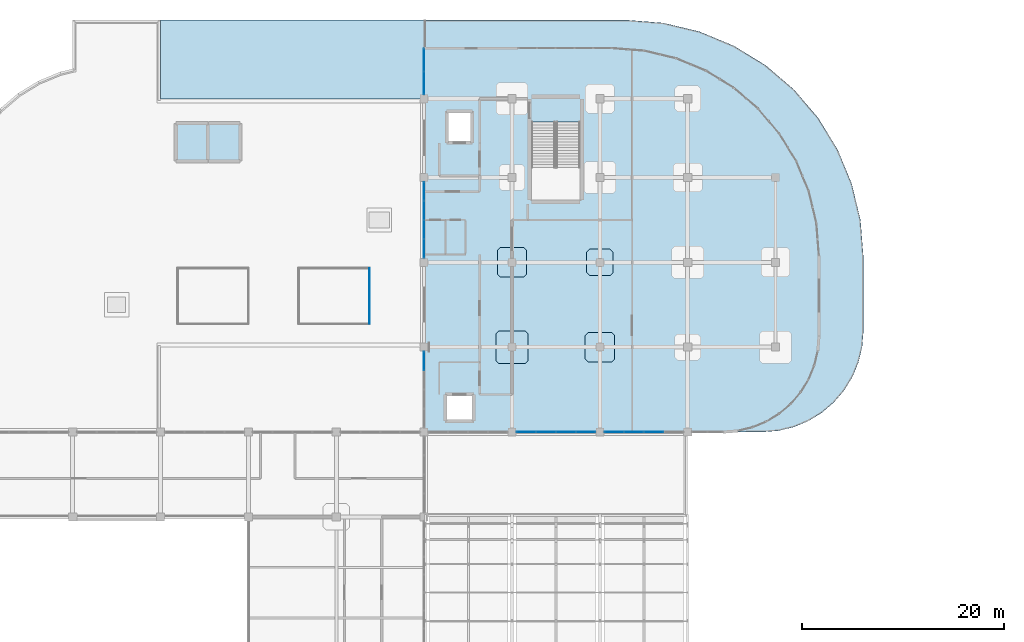
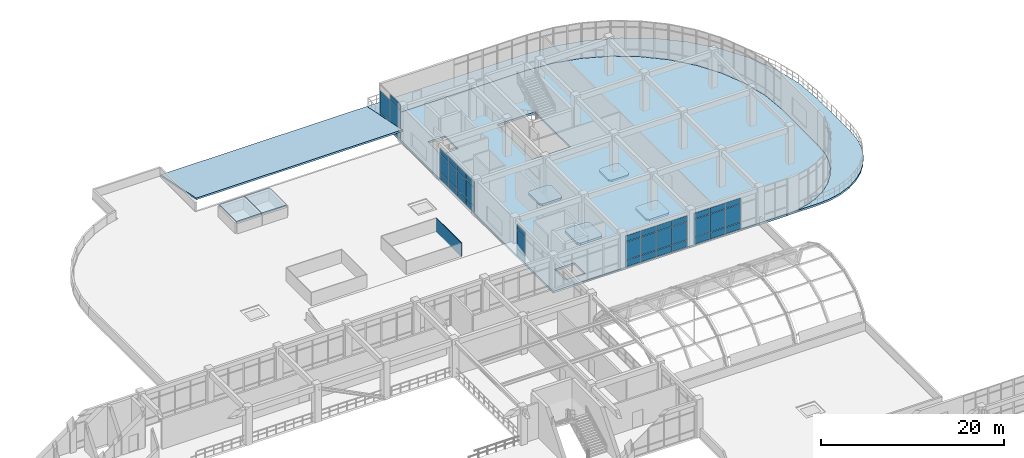
# One storey, part 99 of 124: 42 plates, 9 slabs, 5 elements without a shape of their own.
"""IFC4 building model written with IfcOpenShell, lengths in metres."""

from ifc_helpers import new_model, si_unit, derived_unit, direction, frame, origin, origin_2d, place, context, subcontext, project, spatial, polyline, rectangle, outline, extrude, material, layer, layer_set, type_object, element, aggregate, save


model = new_model("IFC4")

# Units and contexts
model_context = context("Model", 3, precision=1e-05, world=origin(), true_north=direction((0.0, 1.0)))
body_context = subcontext(model_context, "Body", "Model", "MODEL_VIEW")
ifc_project = project(units=[si_unit("LENGTHUNIT", "METRE"), si_unit("AREAUNIT", "SQUARE_METRE"), si_unit("VOLUMEUNIT", "CUBIC_METRE"), si_unit("PLANEANGLEUNIT", "RADIAN"), si_unit("MASSUNIT", "GRAM", prefix="KILO"), derived_unit("THERMALTRANSMITTANCEUNIT", [(si_unit("MASSUNIT", "GRAM", prefix="KILO"), 1), (si_unit("TIMEUNIT", "SECOND"), -3), (si_unit("THERMODYNAMICTEMPERATUREUNIT", "KELVIN"), -1)])], contexts=[model_context])

# Site, building, storey
site_placement = place(None, origin())
site = spatial("IfcSite", under=ifc_project, at=site_placement, CompositionType="ELEMENT")
building_placement = place(site_placement, origin())
building = spatial("IfcBuilding", under=site, at=building_placement, Name="Qinzheling Arcade Emporium", CompositionType="ELEMENT")
storey_placement = place(building_placement, frame((0.0, 0.0, 16.5)))
storey = spatial("IfcBuildingStorey", under=building, at=storey_placement, Name="L04", CompositionType="ELEMENT", Elevation=16.5)

# Plate
ifc_material_1 = material(Name="Mineral-wool-lined perforated aluminium acoustic panel", Category="aluminium")
ifc_layer_1 = layer(ifc_material_1, 0.06494140625, Name="Mineral-wool-lined perforated aluminium acoustic panel", Category="aluminium")
ifc_layer_set_1 = layer_set([ifc_layer_1], Name="Mineral-wool-lined perforated aluminium acoustic panel")
plate_type_1 = type_object("IfcPlateType", Name="Acoustic Roof Plant Screen Panel 65mm", PredefinedType="USERDEFINED", material=ifc_layer_set_1)
plate_1_placement = place(storey_placement, frame((99.0, 87.25, 0.0), z_axis=(0.0, 0.0, 1.0), x_axis=(0.0, 1.0, 0.0)))
element("IfcPlate", 1, at=plate_1_placement, inside=storey, type_object=plate_type_1, Name="Acoustic Plant Screen PLT-APS-L04-08", ObjectType="PLANT_SCREEN", PredefinedType="USERDEFINED", context=body_context, shape_type="SweptSolid", body=[
    extrude(rectangle(XDim=5.5, YDim=0.06494140625, at=origin_2d()), origin(), (0.0, 0.0, 1.0), 1.89990234375),
])

# Slabs
ifc_material_2 = material(Name="Concrete C40", Category="concrete")
ifc_layer_2 = layer(ifc_material_2, 0.264892578125, Name="Concrete C40", Category="concrete")
ifc_layer_set_2 = layer_set([ifc_layer_2], Name="Concrete C40")
slab_type_1 = type_object("IfcSlabType", Name="Buying Office Flat Slab 265 C40", PredefinedType="FLOOR", material=ifc_layer_set_2)
slab_1_placement = place(storey_placement, frame((0.0, 0.0, -0.264892578125)))
element("IfcSlab", 2, at=slab_1_placement, inside=storey, type_object=slab_type_1, Name="Floor Slab SLB-L04-V6", PredefinedType="FLOOR", context=body_context, shape_type="SweptSolid", body=[
    extrude(outline(polyline([(104.39990234375, 111.800048828125), (104.39990234375, 73.800048828125), (134.0, 73.800048828125), (135.486083984375, 73.9169921875), (136.93603515625, 74.264892578125), (138.31298828125, 74.8349609375), (139.583984375, 75.614013671875), (140.718017578125, 76.58203125), (141.68603515625, 77.716064453125), (142.465087890625, 78.987060546875), (143.034912109375, 80.364013671875), (143.383056640625, 81.81396484375), (143.5, 83.300048828125), (143.5, 91.300048828125), (143.248046875, 94.507080078125), (142.4970703125, 97.635009765625), (141.26611328125, 100.60693359375), (139.5849609375, 103.35009765625), (137.49609375, 105.7958984375), (135.050048828125, 107.885009765625), (132.306884765625, 109.56591796875), (129.3349609375, 110.797119140625), (126.20703125, 111.548095703125), (123.0, 111.800048828125), (104.39990234375, 111.800048828125)]), holes=[polyline([(119.844970703125, 96.800048828125), (115.054931640625, 96.800048828125), (115.054931640625, 104.47509765625), (119.844970703125, 104.47509765625), (119.844970703125, 96.800048828125)]), polyline([(109.14990234375, 75.050048828125), (106.64990234375, 75.050048828125), (106.64990234375, 77.35009765625), (109.14990234375, 77.35009765625), (109.14990234375, 75.050048828125)]), polyline([(109.0, 102.60009765625), (106.800048828125, 102.60009765625), (106.800048828125, 105.39990234375), (109.0, 105.39990234375), (109.0, 102.60009765625)])]), origin(), (0.0, 0.0, 1.0), 0.264892578125),
])
ifc_layer_3 = layer(ifc_material_2, 0.235107421875, Name="Concrete C40", Category="concrete")
ifc_layer_set_3 = layer_set([ifc_layer_3], Name="Concrete C40")
slab_type_2 = type_object("IfcSlabType", Name="Column Head Drop Panel 2600x2600x235 C40", PredefinedType="USERDEFINED", material=ifc_layer_set_3)
slab_2_placement = place(storey_placement, frame((0.0, 0.0, -0.5)))
element("IfcSlab", 3, at=slab_2_placement, inside=storey, type_object=slab_type_2, Name="Column Drop Panel DP-L04-15-L", ObjectType="DROP_PANEL", PredefinedType="USERDEFINED", context=body_context, shape_type="SweptSolid", body=[
    extrude(outline(polyline([(120.780029296875, 89.300048828125), (122.820068359375, 89.300048828125), (123.10009765625, 89.580078125), (123.10009765625, 91.6201171875), (122.820068359375, 91.89990234375), (120.780029296875, 91.89990234375), (120.5, 91.6201171875), (120.5, 89.580078125), (120.780029296875, 89.300048828125)])), origin(), (0.0, 0.0, 1.0), 0.235107421875),
])
ifc_layer_4 = layer(ifc_material_2, 0.27001953125, Name="Concrete C40", Category="concrete")
ifc_layer_set_4 = layer_set([ifc_layer_4], Name="Concrete C40")
slab_type_3 = type_object("IfcSlabType", Name="Column Head Drop Panel 2900x2900x270 C40", PredefinedType="USERDEFINED", material=ifc_layer_set_4)
slab_3_placement = place(storey_placement, frame((0.0, 0.0, -0.534912109375)))
element("IfcSlab", 4, at=slab_3_placement, inside=storey, type_object=slab_type_3, Name="Column Drop Panel DP-L04-14-L", ObjectType="DROP_PANEL", PredefinedType="USERDEFINED", context=body_context, shape_type="SweptSolid", body=[
    extrude(outline(polyline([(111.929931640625, 89.14990234375), (114.27001953125, 89.14990234375), (114.550048828125, 89.429931640625), (114.550048828125, 91.77001953125), (114.27001953125, 92.050048828125), (111.929931640625, 92.050048828125), (111.64990234375, 91.77001953125), (111.64990234375, 89.429931640625), (111.929931640625, 89.14990234375)])), origin(), (0.0, 0.0, 1.0), 0.27001953125),
])
slab_4_placement = place(storey_placement, frame((0.0, 0.0, -0.534912109375)))
element("IfcSlab", 5, at=slab_4_placement, inside=storey, type_object=slab_type_3, Name="Column Drop Panel DP-L04-15-K", ObjectType="DROP_PANEL", PredefinedType="USERDEFINED", context=body_context, shape_type="SweptSolid", body=[
    extrude(outline(polyline([(120.6298828125, 80.75), (122.969970703125, 80.75), (123.25, 81.030029296875), (123.25, 83.3701171875), (122.969970703125, 83.64990234375), (120.6298828125, 83.64990234375), (120.35009765625, 83.3701171875), (120.35009765625, 81.030029296875), (120.6298828125, 80.75)])), origin(), (0.0, 0.0, 1.0), 0.27001953125),
])
ifc_layer_5 = layer(ifc_material_2, 0.300048828125, Name="Concrete C40", Category="concrete")
ifc_layer_set_5 = layer_set([ifc_layer_5], Name="Concrete C40")
slab_type_4 = type_object("IfcSlabType", Name="Column Head Drop Panel 3200x3200x300 C40", PredefinedType="USERDEFINED", material=ifc_layer_set_5)
slab_5_placement = place(storey_placement, frame((0.0, 0.0, -0.56494140625)))
element("IfcSlab", 6, at=slab_5_placement, inside=storey, type_object=slab_type_4, Name="Column Drop Panel DP-L04-14-K", ObjectType="DROP_PANEL", PredefinedType="USERDEFINED", context=body_context, shape_type="SweptSolid", body=[
    extrude(outline(polyline([(111.780029296875, 80.60009765625), (114.419921875, 80.60009765625), (114.699951171875, 80.8798828125), (114.699951171875, 83.52001953125), (114.419921875, 83.800048828125), (111.780029296875, 83.800048828125), (111.5, 83.52001953125), (111.5, 80.8798828125), (111.780029296875, 80.60009765625)])), origin(), (0.0, 0.0, 1.0), 0.300048828125),
])
ifc_layer_6 = layer(ifc_material_2, 0.18994140625, Name="Concrete C40", Category="concrete")
ifc_layer_set_6 = layer_set([ifc_layer_6], Name="Concrete C40")
slab_type_5 = type_object("IfcSlabType", Name="Lift Overrun Roof Slab 190 C40", PredefinedType="ROOF", material=ifc_layer_set_6)
slab_6_placement = place(storey_placement, frame((0.0, 0.0, 1.5)))
element("IfcSlab", 7, at=slab_6_placement, inside=storey, type_object=slab_type_5, Name="Lift Overrun Roof SLB-OVR-LG01", PredefinedType="ROOF", context=body_context, shape_type="SweptSolid", body=[
    extrude(outline(polyline([(79.824951171875, 100.625), (82.97509765625, 100.625), (82.97509765625, 104.375), (79.824951171875, 104.375), (79.824951171875, 100.625)])), origin(), (0.0, 0.0, 1.0), 0.18994140625),
])
slab_7_placement = place(storey_placement, frame((0.0, 0.0, 1.5)))
element("IfcSlab", 8, at=slab_7_placement, inside=storey, type_object=slab_type_5, Name="Lift Overrun Roof SLB-OVR-LG02", PredefinedType="ROOF", context=body_context, shape_type="SweptSolid", body=[
    extrude(outline(polyline([(83.02490234375, 100.625), (86.175048828125, 100.625), (86.175048828125, 104.375), (83.02490234375, 104.375), (83.02490234375, 100.625)])), origin(), (0.0, 0.0, 1.0), 0.18994140625),
])

# Curtain wall, plates
ifc_material_3 = material(Name="Anodised aluminium and solar-control double glazing", Category="aluminium")
ifc_layer_7 = layer(ifc_material_3, 0.159912109375, Name="Anodised aluminium and solar-control double glazing", Category="aluminium")
ifc_layer_set_7 = layer_set([ifc_layer_7], Name="Anodised aluminium and solar-control double glazing")
curtain_wall_type = type_object("IfcCurtainWallType", Name="Arcade Portal Glazed Curtain Wall", PredefinedType="NOTDEFINED", material=ifc_layer_set_7)
curtain_wall_1_placement = place(storey_placement, origin())
curtain_wall_1 = element("IfcCurtainWall", 9, at=curtain_wall_1_placement, inside=storey, type_object=curtain_wall_type, Name="Curtain Wall CW-L04-260", PredefinedType="NOTDEFINED")
ifc_material_4 = material(Name="Laminated solar-control double glazing", Category="glass")
ifc_layer_8 = layer(ifc_material_4, 0.029052734375, Name="Laminated solar-control double glazing", Category="glass")
ifc_layer_set_8 = layer_set([ifc_layer_8], Name="Laminated solar-control double glazing")
plate_type_2 = type_object("IfcPlateType", Name="Low-E Double Glazed Curtain Panel 29mm", PredefinedType="CURTAIN_PANEL", material=ifc_layer_set_8)
plate_2_placement = place(storey_placement, frame((104.39990234375, 80.83349609375, 0.06005859375), z_axis=(0.0, 0.0, 1.0), x_axis=(0.0, 1.0, 0.0)))
plate_2 = element("IfcPlate", 10, at=plate_2_placement, type_object=plate_type_2, Name="CW05 panel 4.1", PredefinedType="CURTAIN_PANEL", context=body_context, shape_type="SweptSolid", body=[
    extrude(rectangle(XDim=1.80908203125, YDim=0.029052734375, at=origin_2d()), origin(), (0.0, 0.0, 1.0), 0.860107421875),
])
plate_3_placement = place(storey_placement, frame((104.39990234375, 80.83349609375, 0.97998046875), z_axis=(0.0, 0.0, 1.0), x_axis=(0.0, 1.0, 0.0)))
plate_3 = element("IfcPlate", 11, at=plate_3_placement, type_object=plate_type_2, Name="CW05 panel 4.2", PredefinedType="CURTAIN_PANEL", context=body_context, shape_type="SweptSolid", body=[
    extrude(rectangle(XDim=1.80908203125, YDim=0.029052734375, at=origin_2d()), origin(), (0.0, 0.0, 1.0), 2.409912109375),
])
plate_4_placement = place(storey_placement, frame((104.39990234375, 80.83349609375, 3.4501953125), z_axis=(0.0, 0.0, 1.0), x_axis=(0.0, 1.0, 0.0)))
plate_4 = element("IfcPlate", 12, at=plate_4_placement, type_object=plate_type_2, Name="CW05 panel 4.3", PredefinedType="CURTAIN_PANEL", context=body_context, shape_type="SweptSolid", body=[
    extrude(rectangle(XDim=1.80908203125, YDim=0.029052734375, at=origin_2d()), origin(), (0.0, 0.0, 1.0), 0.760009765625),
])
aggregate(curtain_wall_1, [plate_2, plate_3, plate_4])

curtain_wall_2_placement = place(storey_placement, origin())
curtain_wall_2 = element("IfcCurtainWall", 13, at=curtain_wall_2_placement, inside=storey, type_object=curtain_wall_type, Name="Curtain Wall CW-L04-261", PredefinedType="NOTDEFINED")
ifc_layer_9 = layer(ifc_material_4, 0.030029296875, Name="Laminated solar-control double glazing", Category="glass")
ifc_layer_set_9 = layer_set([ifc_layer_9], Name="Laminated solar-control double glazing")
plate_type_3 = type_object("IfcPlateType", Name="Low-E Double Glazed Curtain Panel 30mm", PredefinedType="CURTAIN_PANEL", material=ifc_layer_set_9)
plate_5_placement = place(storey_placement, frame((104.39990234375, 91.966552734375, 0.06005859375), z_axis=(0.0, 0.0, 1.0), x_axis=(0.0, 1.0, 0.0)))
plate_5 = element("IfcPlate", 14, at=plate_5_placement, type_object=plate_type_3, Name="CW05 panel 1.1", PredefinedType="CURTAIN_PANEL", context=body_context, shape_type="SweptSolid", body=[
    extrude(rectangle(XDim=1.80908203125, YDim=0.030029296875, at=origin_2d()), origin(), (0.0, 0.0, 1.0), 0.860107421875),
])
plate_6_placement = place(storey_placement, frame((104.39990234375, 91.966552734375, 0.97998046875), z_axis=(0.0, 0.0, 1.0), x_axis=(0.0, 1.0, 0.0)))
plate_6 = element("IfcPlate", 15, at=plate_6_placement, type_object=plate_type_3, Name="CW05 panel 1.2", PredefinedType="CURTAIN_PANEL", context=body_context, shape_type="SweptSolid", body=[
    extrude(rectangle(XDim=1.80908203125, YDim=0.030029296875, at=origin_2d()), origin(), (0.0, 0.0, 1.0), 2.409912109375),
])
plate_7_placement = place(storey_placement, frame((104.39990234375, 91.966552734375, 3.4501953125), z_axis=(0.0, 0.0, 1.0), x_axis=(0.0, 1.0, 0.0)))
plate_7 = element("IfcPlate", 16, at=plate_7_placement, type_object=plate_type_3, Name="CW05 panel 1.3", PredefinedType="CURTAIN_PANEL", context=body_context, shape_type="SweptSolid", body=[
    extrude(rectangle(XDim=1.80908203125, YDim=0.030029296875, at=origin_2d()), origin(), (0.0, 0.0, 1.0), 0.760009765625),
])
plate_8_placement = place(storey_placement, frame((104.39990234375, 93.8505859375, 0.06005859375), z_axis=(0.0, 0.0, 1.0), x_axis=(0.0, 1.0, 0.0)))
plate_8 = element("IfcPlate", 17, at=plate_8_placement, type_object=plate_type_3, Name="CW05 panel 2.1", PredefinedType="CURTAIN_PANEL", context=body_context, shape_type="SweptSolid", body=[
    extrude(rectangle(XDim=1.839111328125, YDim=0.030029296875, at=origin_2d()), origin(), (0.0, 0.0, 1.0), 0.860107421875),
])
plate_9_placement = place(storey_placement, frame((104.39990234375, 93.8505859375, 0.97998046875), z_axis=(0.0, 0.0, 1.0), x_axis=(0.0, 1.0, 0.0)))
plate_9 = element("IfcPlate", 18, at=plate_9_placement, type_object=plate_type_3, Name="CW05 panel 2.2", PredefinedType="CURTAIN_PANEL", context=body_context, shape_type="SweptSolid", body=[
    extrude(rectangle(XDim=1.839111328125, YDim=0.030029296875, at=origin_2d()), origin(), (0.0, 0.0, 1.0), 2.409912109375),
])
plate_10_placement = place(storey_placement, frame((104.39990234375, 93.8505859375, 3.4501953125), z_axis=(0.0, 0.0, 1.0), x_axis=(0.0, 1.0, 0.0)))
plate_10 = element("IfcPlate", 19, at=plate_10_placement, type_object=plate_type_3, Name="CW05 panel 2.3", PredefinedType="CURTAIN_PANEL", context=body_context, shape_type="SweptSolid", body=[
    extrude(rectangle(XDim=1.839111328125, YDim=0.030029296875, at=origin_2d()), origin(), (0.0, 0.0, 1.0), 0.760009765625),
])
plate_11_placement = place(storey_placement, frame((104.39990234375, 95.74951171875, 0.06005859375), z_axis=(0.0, 0.0, 1.0), x_axis=(0.0, 1.0, 0.0)))
plate_11 = element("IfcPlate", 20, at=plate_11_placement, type_object=plate_type_3, Name="CW05 panel 3.1", PredefinedType="CURTAIN_PANEL", context=body_context, shape_type="SweptSolid", body=[
    extrude(rectangle(XDim=1.839111328125, YDim=0.030029296875, at=origin_2d()), origin(), (0.0, 0.0, 1.0), 0.860107421875),
])
plate_12_placement = place(storey_placement, frame((104.39990234375, 95.74951171875, 0.97998046875), z_axis=(0.0, 0.0, 1.0), x_axis=(0.0, 1.0, 0.0)))
plate_12 = element("IfcPlate", 21, at=plate_12_placement, type_object=plate_type_3, Name="CW05 panel 3.2", PredefinedType="CURTAIN_PANEL", context=body_context, shape_type="SweptSolid", body=[
    extrude(rectangle(XDim=1.839111328125, YDim=0.030029296875, at=origin_2d()), origin(), (0.0, 0.0, 1.0), 2.409912109375),
])
plate_13_placement = place(storey_placement, frame((104.39990234375, 95.74951171875, 3.4501953125), z_axis=(0.0, 0.0, 1.0), x_axis=(0.0, 1.0, 0.0)))
plate_13 = element("IfcPlate", 22, at=plate_13_placement, type_object=plate_type_3, Name="CW05 panel 3.3", PredefinedType="CURTAIN_PANEL", context=body_context, shape_type="SweptSolid", body=[
    extrude(rectangle(XDim=1.839111328125, YDim=0.030029296875, at=origin_2d()), origin(), (0.0, 0.0, 1.0), 0.760009765625),
])
plate_14_placement = place(storey_placement, frame((104.39990234375, 97.633544921875, 0.06005859375), z_axis=(0.0, 0.0, 1.0), x_axis=(0.0, 1.0, 0.0)))
plate_14 = element("IfcPlate", 23, at=plate_14_placement, type_object=plate_type_3, Name="CW05 panel 4.1", PredefinedType="CURTAIN_PANEL", context=body_context, shape_type="SweptSolid", body=[
    extrude(rectangle(XDim=1.80908203125, YDim=0.030029296875, at=origin_2d()), origin(), (0.0, 0.0, 1.0), 0.860107421875),
])
plate_15_placement = place(storey_placement, frame((104.39990234375, 97.633544921875, 0.97998046875), z_axis=(0.0, 0.0, 1.0), x_axis=(0.0, 1.0, 0.0)))
plate_15 = element("IfcPlate", 24, at=plate_15_placement, type_object=plate_type_3, Name="CW05 panel 4.2", PredefinedType="CURTAIN_PANEL", context=body_context, shape_type="SweptSolid", body=[
    extrude(rectangle(XDim=1.80908203125, YDim=0.030029296875, at=origin_2d()), origin(), (0.0, 0.0, 1.0), 2.409912109375),
])
plate_16_placement = place(storey_placement, frame((104.39990234375, 97.633544921875, 3.4501953125), z_axis=(0.0, 0.0, 1.0), x_axis=(0.0, 1.0, 0.0)))
plate_16 = element("IfcPlate", 25, at=plate_16_placement, type_object=plate_type_3, Name="CW05 panel 4.3", PredefinedType="CURTAIN_PANEL", context=body_context, shape_type="SweptSolid", body=[
    extrude(rectangle(XDim=1.80908203125, YDim=0.030029296875, at=origin_2d()), origin(), (0.0, 0.0, 1.0), 0.760009765625),
])
aggregate(curtain_wall_2, [plate_5, plate_6, plate_7, plate_8, plate_9, plate_10, plate_11, plate_12, plate_13, plate_14, plate_15, plate_16])

curtain_wall_3_placement = place(storey_placement, origin())
curtain_wall_3 = element("IfcCurtainWall", 26, at=curtain_wall_3_placement, inside=storey, type_object=curtain_wall_type, Name="Curtain Wall CW-L04-262", PredefinedType="NOTDEFINED")
ifc_layer_10 = layer(ifc_material_4, 0.031005859375, Name="Laminated solar-control double glazing", Category="glass")
ifc_layer_set_10 = layer_set([ifc_layer_10], Name="Laminated solar-control double glazing")
plate_type_4 = type_object("IfcPlateType", Name="Low-E Double Glazed Curtain Panel 31mm", PredefinedType="CURTAIN_PANEL", material=ifc_layer_set_10)
plate_17_placement = place(storey_placement, frame((104.39990234375, 108.366455078125, 0.06005859375), z_axis=(0.0, 0.0, 1.0), x_axis=(0.0, 1.0, 0.0)))
plate_17 = element("IfcPlate", 27, at=plate_17_placement, type_object=plate_type_4, Name="CW05 panel 1.1", PredefinedType="CURTAIN_PANEL", context=body_context, shape_type="SweptSolid", body=[
    extrude(rectangle(XDim=2.208984375, YDim=0.031005859375, at=origin_2d()), origin(), (0.0, 0.0, 1.0), 0.860107421875),
])
plate_18_placement = place(storey_placement, frame((104.39990234375, 108.366455078125, 0.97998046875), z_axis=(0.0, 0.0, 1.0), x_axis=(0.0, 1.0, 0.0)))
plate_18 = element("IfcPlate", 28, at=plate_18_placement, type_object=plate_type_4, Name="CW05 panel 1.2", PredefinedType="CURTAIN_PANEL", context=body_context, shape_type="SweptSolid", body=[
    extrude(rectangle(XDim=2.208984375, YDim=0.031005859375, at=origin_2d()), origin(), (0.0, 0.0, 1.0), 2.929931640625),
])
plate_19_placement = place(storey_placement, frame((104.39990234375, 108.366455078125, 3.97021484375), z_axis=(0.0, 0.0, 1.0), x_axis=(0.0, 1.0, 0.0)))
plate_19 = element("IfcPlate", 29, at=plate_19_placement, type_object=plate_type_4, Name="CW05 panel 1.3", PredefinedType="CURTAIN_PANEL", context=body_context, shape_type="SweptSolid", body=[
    extrude(rectangle(XDim=2.208984375, YDim=0.031005859375, at=origin_2d()), origin(), (0.0, 0.0, 1.0), 0.760009765625),
])
plate_20_placement = place(storey_placement, frame((104.39990234375, 110.635498046875, 0.06005859375), z_axis=(0.0, 0.0, 1.0), x_axis=(0.0, 1.0, 0.0)))
plate_20 = element("IfcPlate", 30, at=plate_20_placement, type_object=plate_type_4, Name="CW05 panel 2.1", PredefinedType="CURTAIN_PANEL", context=body_context, shape_type="SweptSolid", body=[
    extrude(rectangle(XDim=2.208984375, YDim=0.031005859375, at=origin_2d()), origin(), (0.0, 0.0, 1.0), 0.860107421875),
])
plate_21_placement = place(storey_placement, frame((104.39990234375, 110.635498046875, 0.97998046875), z_axis=(0.0, 0.0, 1.0), x_axis=(0.0, 1.0, 0.0)))
plate_21 = element("IfcPlate", 31, at=plate_21_placement, type_object=plate_type_4, Name="CW05 panel 2.2", PredefinedType="CURTAIN_PANEL", context=body_context, shape_type="SweptSolid", body=[
    extrude(rectangle(XDim=2.208984375, YDim=0.031005859375, at=origin_2d()), origin(), (0.0, 0.0, 1.0), 2.929931640625),
])
aggregate(curtain_wall_3, [plate_17, plate_18, plate_19, plate_20, plate_21])

curtain_wall_4_placement = place(storey_placement, origin())
curtain_wall_4 = element("IfcCurtainWall", 32, at=curtain_wall_4_placement, inside=storey, type_object=curtain_wall_type, Name="Curtain Wall CW-L04-283", PredefinedType="NOTDEFINED")
ifc_layer_11 = layer(ifc_material_4, 0.0400390625, Name="Laminated solar-control double glazing", Category="glass")
ifc_layer_set_11 = layer_set([ifc_layer_11], Name="Laminated solar-control double glazing")
plate_type_5 = type_object("IfcPlateType", Name="Low-E Double Glazed Curtain Panel 40mm", PredefinedType="CURTAIN_PANEL", material=ifc_layer_set_11)
plate_22_placement = place(storey_placement, frame((127.136962890625, 73.800048828125, 0.06005859375), z_axis=(0.0, 0.0, 1.0), x_axis=(-1.0, 0.0, 0.0)))
plate_22 = element("IfcPlate", 33, at=plate_22_placement, type_object=plate_type_5, Name="CW05 panel 2.1", PredefinedType="CURTAIN_PANEL", context=body_context, shape_type="SweptSolid", body=[
    extrude(rectangle(XDim=1.9140625, YDim=0.0400390625, at=origin_2d()), origin(), (0.0, 0.0, 1.0), 0.860107421875),
])
plate_23_placement = place(storey_placement, frame((127.136962890625, 73.800048828125, 0.97998046875), z_axis=(0.0, 0.0, 1.0), x_axis=(-1.0, 0.0, 0.0)))
plate_23 = element("IfcPlate", 34, at=plate_23_placement, type_object=plate_type_5, Name="CW05 panel 2.2", PredefinedType="CURTAIN_PANEL", context=body_context, shape_type="SweptSolid", body=[
    extrude(rectangle(XDim=1.9140625, YDim=0.0400390625, at=origin_2d()), origin(), (0.0, 0.0, 1.0), 2.409912109375),
])
plate_24_placement = place(storey_placement, frame((127.136962890625, 73.800048828125, 3.4501953125), z_axis=(0.0, 0.0, 1.0), x_axis=(-1.0, 0.0, 0.0)))
plate_24 = element("IfcPlate", 35, at=plate_24_placement, type_object=plate_type_5, Name="CW05 panel 2.3", PredefinedType="CURTAIN_PANEL", context=body_context, shape_type="SweptSolid", body=[
    extrude(rectangle(XDim=1.9140625, YDim=0.0400390625, at=origin_2d()), origin(), (0.0, 0.0, 1.0), 0.760009765625),
])
plate_25_placement = place(storey_placement, frame((125.1630859375, 73.800048828125, 0.06005859375), z_axis=(0.0, 0.0, 1.0), x_axis=(-1.0, 0.0, 0.0)))
plate_25 = element("IfcPlate", 36, at=plate_25_placement, type_object=plate_type_5, Name="CW05 panel 3.1", PredefinedType="CURTAIN_PANEL", context=body_context, shape_type="SweptSolid", body=[
    extrude(rectangle(XDim=1.9140625, YDim=0.0400390625, at=origin_2d()), origin(), (0.0, 0.0, 1.0), 0.860107421875),
])
plate_26_placement = place(storey_placement, frame((125.1630859375, 73.800048828125, 0.97998046875), z_axis=(0.0, 0.0, 1.0), x_axis=(-1.0, 0.0, 0.0)))
plate_26 = element("IfcPlate", 37, at=plate_26_placement, type_object=plate_type_5, Name="CW05 panel 3.2", PredefinedType="CURTAIN_PANEL", context=body_context, shape_type="SweptSolid", body=[
    extrude(rectangle(XDim=1.9140625, YDim=0.0400390625, at=origin_2d()), origin(), (0.0, 0.0, 1.0), 2.409912109375),
])
plate_27_placement = place(storey_placement, frame((125.1630859375, 73.800048828125, 3.4501953125), z_axis=(0.0, 0.0, 1.0), x_axis=(-1.0, 0.0, 0.0)))
plate_27 = element("IfcPlate", 38, at=plate_27_placement, type_object=plate_type_5, Name="CW05 panel 3.3", PredefinedType="CURTAIN_PANEL", context=body_context, shape_type="SweptSolid", body=[
    extrude(rectangle(XDim=1.9140625, YDim=0.0400390625, at=origin_2d()), origin(), (0.0, 0.0, 1.0), 0.760009765625),
])
plate_28_placement = place(storey_placement, frame((123.2041015625, 73.800048828125, 0.06005859375), z_axis=(0.0, 0.0, 1.0), x_axis=(-1.0, 0.0, 0.0)))
plate_28 = element("IfcPlate", 39, at=plate_28_placement, type_object=plate_type_5, Name="CW05 panel 4.1", PredefinedType="CURTAIN_PANEL", context=body_context, shape_type="SweptSolid", body=[
    extrude(rectangle(XDim=1.884033203125, YDim=0.0400390625, at=origin_2d()), origin(), (0.0, 0.0, 1.0), 0.860107421875),
])
plate_29_placement = place(storey_placement, frame((123.2041015625, 73.800048828125, 0.97998046875), z_axis=(0.0, 0.0, 1.0), x_axis=(-1.0, 0.0, 0.0)))
plate_29 = element("IfcPlate", 40, at=plate_29_placement, type_object=plate_type_5, Name="CW05 panel 4.2", PredefinedType="CURTAIN_PANEL", context=body_context, shape_type="SweptSolid", body=[
    extrude(rectangle(XDim=1.884033203125, YDim=0.0400390625, at=origin_2d()), origin(), (0.0, 0.0, 1.0), 2.409912109375),
])
plate_30_placement = place(storey_placement, frame((123.2041015625, 73.800048828125, 3.4501953125), z_axis=(0.0, 0.0, 1.0), x_axis=(-1.0, 0.0, 0.0)))
plate_30 = element("IfcPlate", 41, at=plate_30_placement, type_object=plate_type_5, Name="CW05 panel 4.3", PredefinedType="CURTAIN_PANEL", context=body_context, shape_type="SweptSolid", body=[
    extrude(rectangle(XDim=1.884033203125, YDim=0.0400390625, at=origin_2d()), origin(), (0.0, 0.0, 1.0), 0.760009765625),
])
aggregate(curtain_wall_4, [plate_22, plate_23, plate_24, plate_25, plate_26, plate_27, plate_28, plate_29, plate_30])

curtain_wall_5_placement = place(storey_placement, origin())
curtain_wall_5 = element("IfcCurtainWall", 42, at=curtain_wall_5_placement, inside=storey, type_object=curtain_wall_type, Name="Curtain Wall CW-L04-284", PredefinedType="NOTDEFINED")
ifc_layer_12 = layer(ifc_material_4, 0.0419921875, Name="Laminated solar-control double glazing", Category="glass")
ifc_layer_set_12 = layer_set([ifc_layer_12], Name="Laminated solar-control double glazing")
plate_type_6 = type_object("IfcPlateType", Name="Low-E Double Glazed Curtain Panel 42mm", PredefinedType="CURTAIN_PANEL", material=ifc_layer_set_12)
plate_31_placement = place(storey_placement, frame((120.39599609375, 73.800048828125, 0.06005859375), z_axis=(0.0, 0.0, 1.0), x_axis=(-1.0, 0.0, 0.0)))
plate_31 = element("IfcPlate", 43, at=plate_31_placement, type_object=plate_type_6, Name="CW05 panel 1.1", PredefinedType="CURTAIN_PANEL", context=body_context, shape_type="SweptSolid", body=[
    extrude(rectangle(XDim=1.884033203125, YDim=0.0419921875, at=origin_2d()), origin(), (0.0, 0.0, 1.0), 0.860107421875),
])
plate_32_placement = place(storey_placement, frame((120.39599609375, 73.800048828125, 0.97998046875), z_axis=(0.0, 0.0, 1.0), x_axis=(-1.0, 0.0, 0.0)))
plate_32 = element("IfcPlate", 44, at=plate_32_placement, type_object=plate_type_6, Name="CW05 panel 1.2", PredefinedType="CURTAIN_PANEL", context=body_context, shape_type="SweptSolid", body=[
    extrude(rectangle(XDim=1.884033203125, YDim=0.0419921875, at=origin_2d()), origin(), (0.0, 0.0, 1.0), 2.409912109375),
])
plate_33_placement = place(storey_placement, frame((120.39599609375, 73.800048828125, 3.4501953125), z_axis=(0.0, 0.0, 1.0), x_axis=(-1.0, 0.0, 0.0)))
plate_33 = element("IfcPlate", 45, at=plate_33_placement, type_object=plate_type_6, Name="CW05 panel 1.3", PredefinedType="CURTAIN_PANEL", context=body_context, shape_type="SweptSolid", body=[
    extrude(rectangle(XDim=1.884033203125, YDim=0.0419921875, at=origin_2d()), origin(), (0.0, 0.0, 1.0), 0.760009765625),
])
plate_34_placement = place(storey_placement, frame((118.43701171875, 73.800048828125, 0.06005859375), z_axis=(0.0, 0.0, 1.0), x_axis=(-1.0, 0.0, 0.0)))
plate_34 = element("IfcPlate", 46, at=plate_34_placement, type_object=plate_type_6, Name="CW05 panel 2.1", PredefinedType="CURTAIN_PANEL", context=body_context, shape_type="SweptSolid", body=[
    extrude(rectangle(XDim=1.9140625, YDim=0.0419921875, at=origin_2d()), origin(), (0.0, 0.0, 1.0), 0.860107421875),
])
plate_35_placement = place(storey_placement, frame((118.43701171875, 73.800048828125, 0.97998046875), z_axis=(0.0, 0.0, 1.0), x_axis=(-1.0, 0.0, 0.0)))
plate_35 = element("IfcPlate", 47, at=plate_35_placement, type_object=plate_type_6, Name="CW05 panel 2.2", PredefinedType="CURTAIN_PANEL", context=body_context, shape_type="SweptSolid", body=[
    extrude(rectangle(XDim=1.9140625, YDim=0.0419921875, at=origin_2d()), origin(), (0.0, 0.0, 1.0), 2.409912109375),
])
plate_36_placement = place(storey_placement, frame((118.43701171875, 73.800048828125, 3.4501953125), z_axis=(0.0, 0.0, 1.0), x_axis=(-1.0, 0.0, 0.0)))
plate_36 = element("IfcPlate", 48, at=plate_36_placement, type_object=plate_type_6, Name="CW05 panel 2.3", PredefinedType="CURTAIN_PANEL", context=body_context, shape_type="SweptSolid", body=[
    extrude(rectangle(XDim=1.9140625, YDim=0.0419921875, at=origin_2d()), origin(), (0.0, 0.0, 1.0), 0.760009765625),
])
plate_37_placement = place(storey_placement, frame((116.462890625, 73.800048828125, 0.06005859375), z_axis=(0.0, 0.0, 1.0), x_axis=(-1.0, 0.0, 0.0)))
plate_37 = element("IfcPlate", 49, at=plate_37_placement, type_object=plate_type_6, Name="CW05 panel 3.1", PredefinedType="CURTAIN_PANEL", context=body_context, shape_type="SweptSolid", body=[
    extrude(rectangle(XDim=1.9140625, YDim=0.0419921875, at=origin_2d()), origin(), (0.0, 0.0, 1.0), 0.860107421875),
])
plate_38_placement = place(storey_placement, frame((116.462890625, 73.800048828125, 0.97998046875), z_axis=(0.0, 0.0, 1.0), x_axis=(-1.0, 0.0, 0.0)))
plate_38 = element("IfcPlate", 50, at=plate_38_placement, type_object=plate_type_6, Name="CW05 panel 3.2", PredefinedType="CURTAIN_PANEL", context=body_context, shape_type="SweptSolid", body=[
    extrude(rectangle(XDim=1.9140625, YDim=0.0419921875, at=origin_2d()), origin(), (0.0, 0.0, 1.0), 2.409912109375),
])
plate_39_placement = place(storey_placement, frame((116.462890625, 73.800048828125, 3.4501953125), z_axis=(0.0, 0.0, 1.0), x_axis=(-1.0, 0.0, 0.0)))
plate_39 = element("IfcPlate", 51, at=plate_39_placement, type_object=plate_type_6, Name="CW05 panel 3.3", PredefinedType="CURTAIN_PANEL", context=body_context, shape_type="SweptSolid", body=[
    extrude(rectangle(XDim=1.9140625, YDim=0.0419921875, at=origin_2d()), origin(), (0.0, 0.0, 1.0), 0.760009765625),
])
plate_40_placement = place(storey_placement, frame((114.50390625, 73.800048828125, 0.06005859375), z_axis=(0.0, 0.0, 1.0), x_axis=(-1.0, 0.0, 0.0)))
plate_40 = element("IfcPlate", 52, at=plate_40_placement, type_object=plate_type_6, Name="CW05 panel 4.1", PredefinedType="CURTAIN_PANEL", context=body_context, shape_type="SweptSolid", body=[
    extrude(rectangle(XDim=1.884033203125, YDim=0.0419921875, at=origin_2d()), origin(), (0.0, 0.0, 1.0), 0.860107421875),
])
plate_41_placement = place(storey_placement, frame((114.50390625, 73.800048828125, 0.97998046875), z_axis=(0.0, 0.0, 1.0), x_axis=(-1.0, 0.0, 0.0)))
plate_41 = element("IfcPlate", 53, at=plate_41_placement, type_object=plate_type_6, Name="CW05 panel 4.2", PredefinedType="CURTAIN_PANEL", context=body_context, shape_type="SweptSolid", body=[
    extrude(rectangle(XDim=1.884033203125, YDim=0.0419921875, at=origin_2d()), origin(), (0.0, 0.0, 1.0), 2.409912109375),
])
plate_42_placement = place(storey_placement, frame((114.50390625, 73.800048828125, 3.4501953125), z_axis=(0.0, 0.0, 1.0), x_axis=(-1.0, 0.0, 0.0)))
plate_42 = element("IfcPlate", 54, at=plate_42_placement, type_object=plate_type_6, Name="CW05 panel 4.3", PredefinedType="CURTAIN_PANEL", context=body_context, shape_type="SweptSolid", body=[
    extrude(rectangle(XDim=1.884033203125, YDim=0.0419921875, at=origin_2d()), origin(), (0.0, 0.0, 1.0), 0.760009765625),
])
aggregate(curtain_wall_5, [plate_31, plate_32, plate_33, plate_34, plate_35, plate_36, plate_37, plate_38, plate_39, plate_40, plate_41, plate_42])

# Slabs
ifc_layer_13 = layer(ifc_material_2, 0.25, Name="Concrete C40", Category="concrete")
ifc_layer_set_13 = layer_set([ifc_layer_13], Name="Concrete C40")
slab_type_6 = type_object("IfcSlabType", Name="Outdoor Dining Terrace Slab 250 C40", PredefinedType="FLOOR", material=ifc_layer_set_13)
slab_8_placement = place(storey_placement, frame((0.0, 0.0, -0.25)))
element("IfcSlab", 55, at=slab_8_placement, inside=storey, type_object=slab_type_6, Name="Outdoor Terrace SLB-TR-V6-L04", PredefinedType="FLOOR", context=body_context, shape_type="SweptSolid", body=[
    extrude(outline(polyline([(104.39990234375, 114.60009765625), (104.39990234375, 111.800048828125), (123.0, 111.800048828125), (126.20703125, 111.548095703125), (129.3349609375, 110.797119140625), (132.306884765625, 109.56591796875), (135.050048828125, 107.885009765625), (137.49609375, 105.7958984375), (139.5849609375, 103.35009765625), (141.26611328125, 100.60693359375), (142.4970703125, 97.635009765625), (143.248046875, 94.507080078125), (143.5, 91.300048828125), (143.5, 83.300048828125), (143.383056640625, 81.81396484375), (143.034912109375, 80.364013671875), (142.465087890625, 78.987060546875), (141.68603515625, 77.716064453125), (140.718017578125, 76.58203125), (139.583984375, 75.614013671875), (138.31298828125, 74.8349609375), (136.93603515625, 74.264892578125), (135.486083984375, 73.9169921875), (134.0, 73.800048828125), (137.89990234375, 73.800048828125), (139.464111328125, 73.923095703125), (140.989990234375, 74.2890625), (142.43994140625, 74.889892578125), (143.778076171875, 75.7099609375), (144.970947265625, 76.72900390625), (145.989990234375, 77.922119140625), (146.81005859375, 79.260009765625), (147.410888671875, 80.7099609375), (147.777099609375, 82.236083984375), (147.89990234375, 83.800048828125), (147.89990234375, 91.10009765625), (147.611083984375, 94.77587890625), (146.75, 98.362060546875), (145.339111328125, 101.76904296875), (143.412109375, 104.9130859375), (141.01708984375, 107.717041015625), (138.212890625, 110.112060546875), (135.069091796875, 112.0390625), (131.662109375, 113.449951171875), (128.075927734375, 114.31103515625), (124.39990234375, 114.60009765625), (104.39990234375, 114.60009765625)])), origin(), (0.0, 0.0, 1.0), 0.25),
])
ifc_layer_14 = layer(ifc_material_2, 0.2099609375, Name="Concrete C40", Category="concrete")
ifc_layer_set_14 = layer_set([ifc_layer_14], Name="Concrete C40")
slab_type_7 = type_object("IfcSlabType", Name="Sloped Typhoon Storm Eave Roof Slab 210 C40", PredefinedType="ROOF", material=ifc_layer_set_14)
slab_9_placement = place(storey_placement, frame((78.300048828125, 106.800048828125, 1.60009765625), z_axis=(0.0, 0.200954705927, 0.979600533976), x_axis=(1.0, 0.0, 0.0)))
element("IfcSlab", 56, at=slab_9_placement, inside=storey, type_object=slab_type_7, Name="Sloped Storm Eave SLB-EAVE-V5N", PredefinedType="ROOF", context=body_context, shape_type="SweptSolid", body=[
    extrude(outline(polyline([(0.0, 0.0), (26.099853515625, 0.0), (26.099853515625, 7.962479151035243), (0.0, 7.962479151035243), (0.0, 0.0)])), origin(), (0.0, 0.0, -1.0), 0.2099609375),
])

save(model, "model.ifc")
